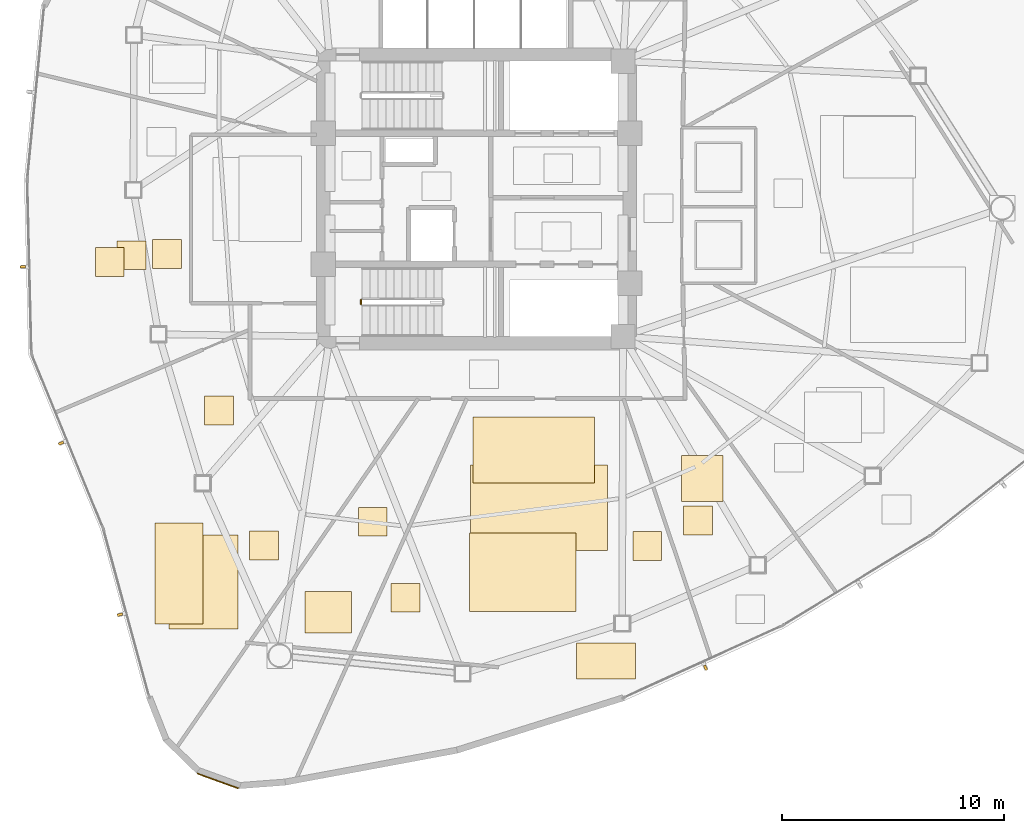
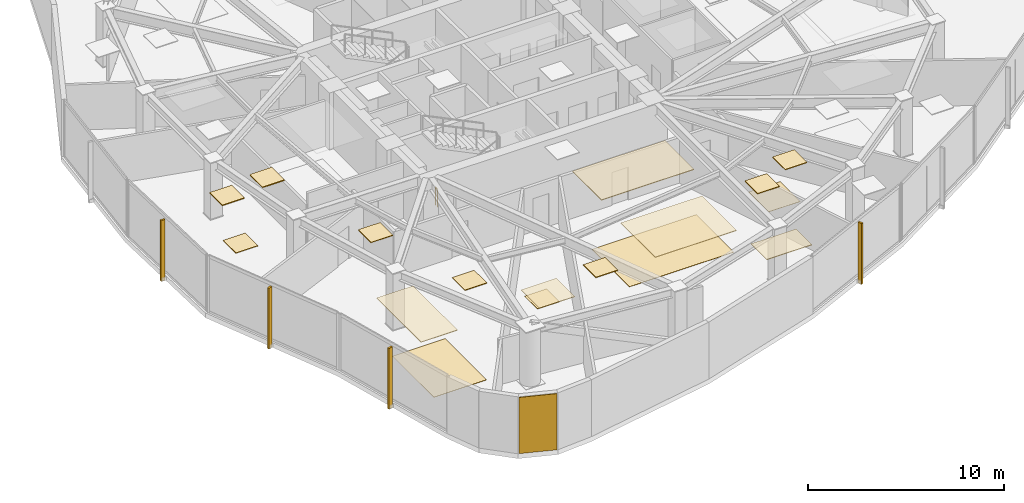
# One storey, part 14 of 17: 18 coverings, 4 shading devices, 1 railing.
"""IFC4 building model written with IfcOpenShell, lengths in metres."""

from ifc_helpers import new_model, si_unit, direction, frame, origin, origin_2d, place, context, subcontext, project, spatial, polyline, rectangle, outline, extrude, source, transform, mapped, material, layer, layer_set, type_object, type_shapes, element, save


model = new_model("IFC4")

# Units and contexts
model_context = context("Model", 3, precision=1e-05, world=origin(), true_north=direction((0.0, 1.0)))
body_context = subcontext(model_context, "Body", "Model", "MODEL_VIEW")
ifc_project = project(units=[si_unit("LENGTHUNIT", "METRE"), si_unit("AREAUNIT", "SQUARE_METRE"), si_unit("VOLUMEUNIT", "CUBIC_METRE"), si_unit("PLANEANGLEUNIT", "RADIAN"), si_unit("MASSUNIT", "GRAM", prefix="KILO")], contexts=[model_context])

# Site, building, storey
site_placement = place(None, origin())
site = spatial("IfcSite", under=ifc_project, at=site_placement, CompositionType="ELEMENT")
building_placement = place(site_placement, origin())
building = spatial("IfcBuilding", under=site, at=building_placement, Name="Tavelor Broadcast Tower", CompositionType="ELEMENT")
storey_placement = place(building_placement, frame((0.0, 0.0, 150.25)))
storey = spatial("IfcBuildingStorey", under=building, at=storey_placement, Name="L35", CompositionType="ELEMENT", Elevation=150.25)

# Coverings
ifc_material_1 = material(Name="Copper-Bronze Anodized Aluminium", Category="aluminium")
ifc_layer_1 = layer(ifc_material_1, 0.050048828125)
ifc_layer_set_1 = layer_set([ifc_layer_1], Name="Copper-Bronze Anodized Aluminium")
covering_type_1 = type_object("IfcCoveringType", Name="Champagne-Bronze Corner Pier Metal Cladding 50 mm", PredefinedType="CLADDING", material=ifc_layer_set_1)
covering_1_placement = place(storey_placement, frame((38.349365234375, 18.78271484375, 0.02001953125), z_axis=(0.0, 0.0, 1.0), x_axis=(0.93999073182, -0.341199976689, 0.0)))
element("IfcCovering", 1, at=covering_1_placement, inside=storey, type_object=covering_type_1, Name="L35 Champagne-Bronze Corner Cladding 13", PredefinedType="CLADDING", context=body_context, shape_type="SweptSolid", body=[
    extrude(rectangle(XDim=1.9716796875, YDim=0.050048828125, at=origin_2d()), origin(), (0.0, 0.0, 1.0), 3.510009765625),
])
ifc_material_2 = material(Name="Acoustic Nylon Carpet Tile")
ifc_layer_2 = layer(ifc_material_2, 0.02001953125)
ifc_layer_set_2 = layer_set([ifc_layer_2], Name="Acoustic Nylon Carpet Tile")
covering_type_2 = type_object("IfcCoveringType", Name="Heavy-Duty Acoustic Broadcast Carpet Tile 20 mm", PredefinedType="FLOORING", material=ifc_layer_set_2)
covering_2_placement = place(storey_placement, origin())
element("IfcCovering", 2, at=covering_2_placement, inside=storey, type_object=covering_type_2, Name="L35 Broadcast Floor Finish 0505", PredefinedType="FLOORING", context=body_context, shape_type="SweptSolid", body=[
    extrude(outline(polyline([(59.23779296875, 31.376220703125), (61.0966796875, 31.376220703125), (61.0966796875, 33.431884765625), (59.23779296875, 33.431884765625), (59.23779296875, 31.376220703125)])), origin(), (0.0, 0.0, 1.0), 0.02001953125),
])
covering_3_placement = place(storey_placement, origin())
element("IfcCovering", 3, at=covering_3_placement, inside=storey, type_object=covering_type_2, Name="L35 Broadcast Floor Finish 0506", PredefinedType="FLOORING", context=body_context, shape_type="SweptSolid", body=[
    extrude(outline(polyline([(49.73876953125, 29.16357421875), (55.91015625, 29.16357421875), (55.91015625, 33.01416015625), (49.73876953125, 33.01416015625), (49.73876953125, 29.16357421875)])), origin(), (0.0, 0.0, 1.0), 0.02001953125),
])
covering_4_placement = place(storey_placement, origin())
element("IfcCovering", 4, at=covering_4_placement, inside=storey, type_object=covering_type_2, Name="L35 Broadcast Floor Finish 0507", PredefinedType="FLOORING", context=body_context, shape_type="SweptSolid", body=[
    extrude(outline(polyline([(44.67529296875, 29.805908203125), (45.975341796875, 29.805908203125), (45.975341796875, 31.10595703125), (44.67529296875, 31.10595703125), (44.67529296875, 29.805908203125)])), origin(), (0.0, 0.0, 1.0), 0.02001953125),
])
covering_5_placement = place(storey_placement, origin())
element("IfcCovering", 5, at=covering_5_placement, inside=storey, type_object=covering_type_2, Name="L35 Broadcast Floor Finish 0508", PredefinedType="FLOORING", context=body_context, shape_type="SweptSolid", body=[
    extrude(outline(polyline([(36.15283203125, 25.631103515625), (39.265869140625, 25.631103515625), (39.265869140625, 29.8701171875), (36.15283203125, 29.8701171875), (36.15283203125, 25.631103515625)])), origin(), (0.0, 0.0, 1.0), 0.02001953125),
])
ifc_material_3 = material(Name="Acoustic Hardwood Studio Flooring", Category="wood")
ifc_layer_3 = layer(ifc_material_3, 0.034912109375)
ifc_layer_set_3 = layer_set([ifc_layer_3], Name="Acoustic Hardwood Studio Flooring")
covering_type_3 = type_object("IfcCoveringType", Name="Isolated Studio Acoustic Elastomeric Floor Finish 35 mm", PredefinedType="FLOORING", material=ifc_layer_set_3)
covering_6_placement = place(storey_placement, origin())
element("IfcCovering", 6, at=covering_6_placement, inside=storey, type_object=covering_type_3, Name="L35 Broadcast Floor Finish 0509", PredefinedType="FLOORING", context=body_context, shape_type="SweptSolid", body=[
    extrude(outline(polyline([(33.8134765625, 41.80810546875), (35.113525390625, 41.80810546875), (35.113525390625, 43.108154296875), (33.8134765625, 43.108154296875), (33.8134765625, 41.80810546875)])), origin(), (0.0, 0.0, 1.0), 0.034912109375),
])
ifc_material_4 = material(Name="Acoustic Perforated Timber Baffle", Category="wood")
ifc_layer_4 = layer(ifc_material_4, 0.054931640625)
ifc_layer_set_4 = layer_set([ifc_layer_4], Name="Acoustic Perforated Timber Baffle")
covering_type_4 = type_object("IfcCoveringType", Name="Micro-Perforated Acoustic Baffle Studio Ceiling 55 mm", PredefinedType="CEILING", material=ifc_layer_set_4)
covering_7_placement = place(storey_placement, frame((0.0, 0.0, 3.4951171875)))
element("IfcCovering", 7, at=covering_7_placement, inside=storey, type_object=covering_type_4, Name="L35 Suspended Acoustic Ceiling 1449", PredefinedType="CEILING", context=body_context, shape_type="SweptSolid", body=[
    extrude(outline(polyline([(32.834716796875, 41.49951171875), (34.134765625, 41.49951171875), (34.134765625, 42.799560546875), (32.834716796875, 42.799560546875), (32.834716796875, 41.49951171875)])), origin(), (0.0, 0.0, 1.0), 0.054931640625),
])
covering_8_placement = place(storey_placement, frame((0.0, 0.0, 3.4951171875)))
element("IfcCovering", 8, at=covering_8_placement, inside=storey, type_object=covering_type_4, Name="L35 Suspended Acoustic Ceiling 1451", PredefinedType="CEILING", context=body_context, shape_type="SweptSolid", body=[
    extrude(outline(polyline([(35.412109375, 41.8603515625), (36.712158203125, 41.8603515625), (36.712158203125, 43.160400390625), (35.412109375, 43.160400390625), (35.412109375, 41.8603515625)])), origin(), (0.0, 0.0, 1.0), 0.054931640625),
])

# Railing
ifc_material_5 = material(Name="Steel S355", Category="steel")
railing_type = type_object("IfcRailingType", Name="Stairwell Steel Safety Guardrail 1150 mm", PredefinedType="GUARDRAIL", material=ifc_material_5)
railing_placement = place(storey_placement, frame((44.800048828125, 40.25, 0.0)))
element("IfcRailing", 9, at=railing_placement, inside=storey, type_object=railing_type, Name="L35 ST2 stair guard 4", PredefinedType="GUARDRAIL", context=body_context, shape_type="SweptSolid", body=[
    extrude(rectangle(XDim=0.048095703125, YDim=0.048095703125, at=origin_2d()), frame((0.0, 0.0, 1.1259765625), z_axis=(0.0, 1.0, 0.0), x_axis=(-1.0, 0.0, 0.0)), (0.0, 0.0, 1.0), 0.199951171875),
    extrude(rectangle(XDim=0.0419921875, YDim=0.0419921875, at=origin_2d()), origin(), (0.0, 0.0, 1.0), 1.101806640625),
    extrude(rectangle(XDim=0.0419921875, YDim=0.0419921875, at=origin_2d()), frame((0.0, 0.199951171875, 0.0)), (0.0, 0.0, 1.0), 1.101806640625),
])

# Coverings
ifc_material_6 = material(Name="Acoustic Mineral Fibre Tile")
ifc_layer_5 = layer(ifc_material_6, 0.0400390625)
ifc_layer_set_5 = layer_set([ifc_layer_5], Name="Acoustic Mineral Fibre Tile")
covering_type_5 = type_object("IfcCoveringType", Name="Suspended Acoustic Mineral-Fibre Office Ceiling 40 mm", PredefinedType="CEILING", material=ifc_layer_set_5)
covering_9_placement = place(storey_placement, frame((0.0, 0.0, 3.510009765625)))
element("IfcCovering", 10, at=covering_9_placement, inside=storey, type_object=covering_type_5, Name="L35 Suspended Acoustic Ceiling 1439", PredefinedType="CEILING", context=body_context, shape_type="SweptSolid", body=[
    extrude(outline(polyline([(59.330810546875, 29.861083984375), (60.630859375, 29.861083984375), (60.630859375, 31.160888671875), (59.330810546875, 31.160888671875), (59.330810546875, 29.861083984375)])), origin(), (0.0, 0.0, 1.0), 0.0400390625),
])
covering_10_placement = place(storey_placement, frame((0.0, 0.0, 3.510009765625)))
element("IfcCovering", 11, at=covering_10_placement, inside=storey, type_object=covering_type_5, Name="L35 Suspended Acoustic Ceiling 1440", PredefinedType="CEILING", context=body_context, shape_type="SweptSolid", body=[
    extrude(outline(polyline([(54.515380859375, 23.385009765625), (57.171630859375, 23.385009765625), (57.171630859375, 24.999755859375), (54.515380859375, 24.999755859375), (54.515380859375, 23.385009765625)])), origin(), (0.0, 0.0, 1.0), 0.0400390625),
])
covering_11_placement = place(storey_placement, frame((0.0, 0.0, 3.510009765625)))
element("IfcCovering", 12, at=covering_11_placement, inside=storey, type_object=covering_type_5, Name="L35 Suspended Acoustic Ceiling 1441", PredefinedType="CEILING", context=body_context, shape_type="SweptSolid", body=[
    extrude(outline(polyline([(49.67578125, 26.414794921875), (54.47998046875, 26.414794921875), (54.47998046875, 29.953369140625), (49.67578125, 29.953369140625), (49.67578125, 26.414794921875)])), origin(), (0.0, 0.0, 1.0), 0.0400390625),
])
covering_12_placement = place(storey_placement, frame((0.0, 0.0, 3.510009765625)))
element("IfcCovering", 13, at=covering_12_placement, inside=storey, type_object=covering_type_5, Name="L35 Suspended Acoustic Ceiling 1442", PredefinedType="CEILING", context=body_context, shape_type="SweptSolid", body=[
    extrude(outline(polyline([(46.150146484375, 26.382080078125), (47.4501953125, 26.382080078125), (47.4501953125, 27.681884765625), (46.150146484375, 27.681884765625), (46.150146484375, 26.382080078125)])), origin(), (0.0, 0.0, 1.0), 0.0400390625),
])
covering_13_placement = place(storey_placement, frame((0.0, 0.0, 3.510009765625)))
element("IfcCovering", 14, at=covering_13_placement, inside=storey, type_object=covering_type_5, Name="L35 Suspended Acoustic Ceiling 1443", PredefinedType="CEILING", context=body_context, shape_type="SweptSolid", body=[
    extrude(outline(polyline([(49.846435546875, 32.21240234375), (55.317138671875, 32.21240234375), (55.317138671875, 35.176513671875), (49.846435546875, 35.176513671875), (49.846435546875, 32.21240234375)])), origin(), (0.0, 0.0, 1.0), 0.0400390625),
])
covering_14_placement = place(storey_placement, frame((0.0, 0.0, 3.510009765625)))
element("IfcCovering", 15, at=covering_14_placement, inside=storey, type_object=covering_type_5, Name="L35 Suspended Acoustic Ceiling 1444", PredefinedType="CEILING", context=body_context, shape_type="SweptSolid", body=[
    extrude(outline(polyline([(57.042724609375, 28.716796875), (58.3427734375, 28.716796875), (58.3427734375, 30.016845703125), (57.042724609375, 30.016845703125), (57.042724609375, 28.716796875)])), origin(), (0.0, 0.0, 1.0), 0.0400390625),
])
covering_15_placement = place(storey_placement, frame((0.0, 0.0, 3.510009765625)))
element("IfcCovering", 16, at=covering_15_placement, inside=storey, type_object=covering_type_5, Name="L35 Suspended Acoustic Ceiling 1445", PredefinedType="CEILING", context=body_context, shape_type="SweptSolid", body=[
    extrude(outline(polyline([(42.2841796875, 25.443115234375), (44.36474609375, 25.443115234375), (44.36474609375, 27.32080078125), (42.2841796875, 27.32080078125), (42.2841796875, 25.443115234375)])), origin(), (0.0, 0.0, 1.0), 0.0400390625),
])
covering_16_placement = place(storey_placement, frame((0.0, 0.0, 3.510009765625)))
element("IfcCovering", 17, at=covering_16_placement, inside=storey, type_object=covering_type_5, Name="L35 Suspended Acoustic Ceiling 1446", PredefinedType="CEILING", context=body_context, shape_type="SweptSolid", body=[
    extrude(outline(polyline([(35.52978515625, 25.856201171875), (37.679931640625, 25.856201171875), (37.679931640625, 30.393798828125), (35.52978515625, 30.393798828125), (35.52978515625, 25.856201171875)])), origin(), (0.0, 0.0, 1.0), 0.0400390625),
])
covering_17_placement = place(storey_placement, frame((0.0, 0.0, 3.510009765625)))
element("IfcCovering", 18, at=covering_17_placement, inside=storey, type_object=covering_type_5, Name="L35 Suspended Acoustic Ceiling 1447", PredefinedType="CEILING", context=body_context, shape_type="SweptSolid", body=[
    extrude(outline(polyline([(37.751220703125, 34.8251953125), (39.051025390625, 34.8251953125), (39.051025390625, 36.125244140625), (37.751220703125, 36.125244140625), (37.751220703125, 34.8251953125)])), origin(), (0.0, 0.0, 1.0), 0.0400390625),
])
covering_18_placement = place(storey_placement, frame((0.0, 0.0, 3.510009765625)))
element("IfcCovering", 19, at=covering_18_placement, inside=storey, type_object=covering_type_5, Name="L35 Suspended Acoustic Ceiling 1448", PredefinedType="CEILING", context=body_context, shape_type="SweptSolid", body=[
    extrude(outline(polyline([(39.7783203125, 28.739990234375), (41.078369140625, 28.739990234375), (41.078369140625, 30.0400390625), (39.7783203125, 30.0400390625), (39.7783203125, 28.739990234375)])), origin(), (0.0, 0.0, 1.0), 0.0400390625),
])

# Shading devices
ifc_material_7 = material(Name="Kiln-Fired Glazed Terracotta", Category="masonry")
shading_device_type = type_object("IfcShadingDeviceType", Name="Extruded Terracotta Baguette Sun-Screen 110x240", PredefinedType="JALOUSIE", material=ifc_material_7)
shared_shape = source(origin(), body_context, "Body", "SweptSolid", [
    extrude(rectangle(XDim=0.110107421875, YDim=0.239990234375, at=origin_2d()), origin(), (0.0, 0.0, 1.0), 3.7900390625),
])
type_shapes(shading_device_type, [shared_shape])
for number, where, z_axis, x_axis, name in (
    (20, (29.5615234375, 41.93359375, -0.260009765625), (0.0, 0.0, 1.0), (0.023908732351, -0.999714145402, 0.0), "L35 Terracotta Baguette Fin 350"),
    (21, (31.288330078125, 33.995361328125, -0.260009765625), (0.0, 0.0, 1.0), (0.380424828643, -0.924811845594, 0.0), "L35 Terracotta Baguette Fin 351"),
    (22, (33.94091796875, 26.271240234375, -0.260009765625), (0.0, 0.0, 1.0), (0.263536339841, -0.964649468762, 0.0), "L35 Terracotta Baguette Fin 352"),
    (23, (60.319091796875, 23.87890625, -0.260009765625), (0.0, 0.0, 1.0), (0.910467235008, 0.413581206025, 0.0), "L35 Terracotta Baguette Fin 353"),
):
    element("IfcShadingDevice", number, at=place(storey_placement, frame(where, z_axis=z_axis, x_axis=x_axis)), inside=storey, type_object=shading_device_type, Name=name, PredefinedType="JALOUSIE", context=body_context, shape_type="MappedRepresentation", body=[
        mapped(shared_shape, transform((0.0, 0.0, 0.0), scale=1.0)),
    ])

save(model, "model.ifc")
